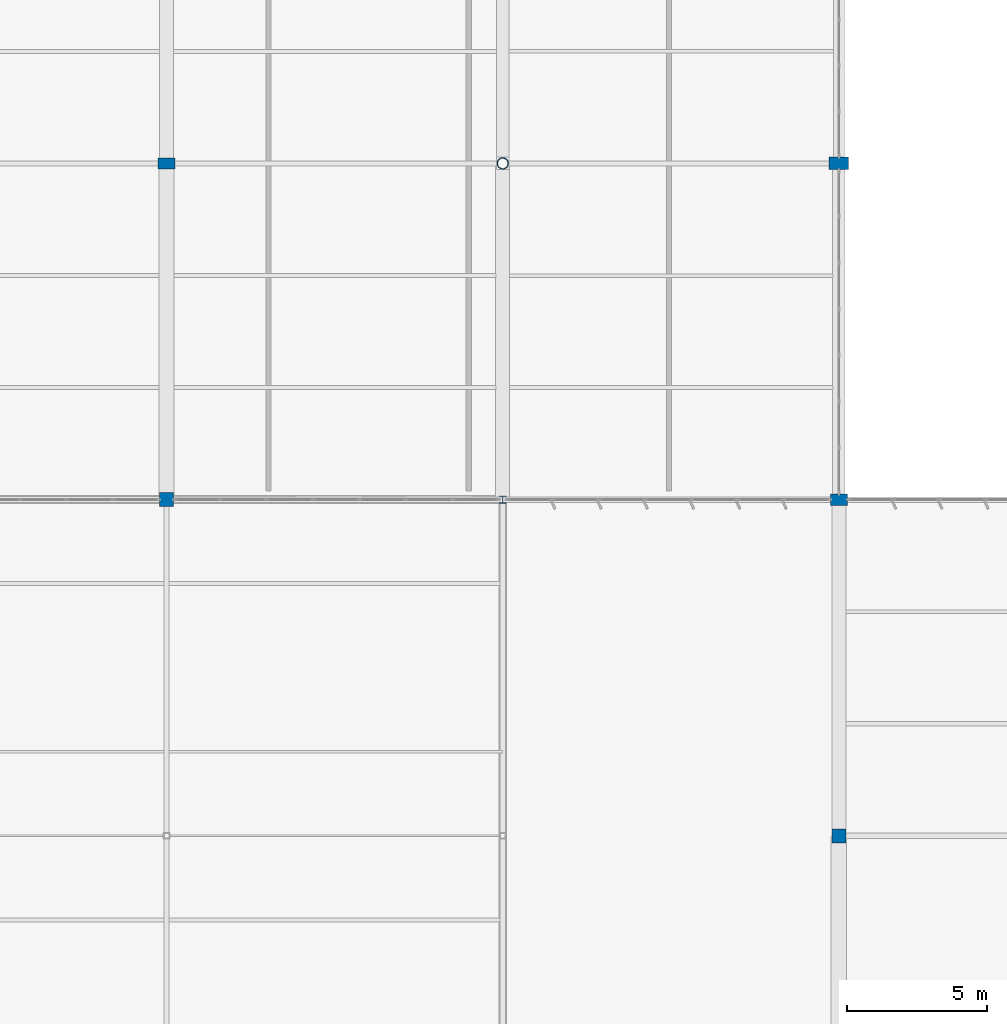
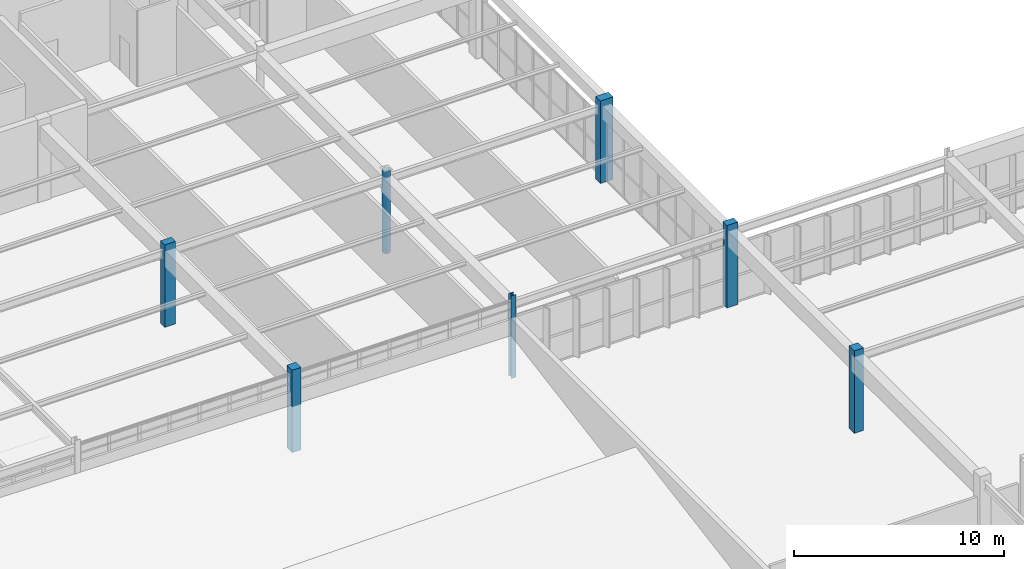
# One storey, part 5 of 226: 7 columns.
"""IFC4 building model written with IfcOpenShell, lengths in metres."""

from ifc_helpers import new_model, si_unit, direction, frame, origin, origin_2d, place, context, subcontext, project, spatial, rectangle, hollow_circle, i_section, extrude, material, material_profile, profile_set, type_object, element, save


model = new_model("IFC4")

# Units and contexts
model_context = context("Model", 3, precision=1e-05, world=origin(), true_north=direction((0.0, 1.0)))
body_context = subcontext(model_context, "Body", "Model", "MODEL_VIEW")
ifc_project = project(units=[si_unit("LENGTHUNIT", "METRE"), si_unit("AREAUNIT", "SQUARE_METRE"), si_unit("VOLUMEUNIT", "CUBIC_METRE"), si_unit("PLANEANGLEUNIT", "RADIAN"), si_unit("MASSUNIT", "GRAM", prefix="KILO")], contexts=[model_context])

# Site, building, storey
site_placement = place(None, origin())
site = spatial("IfcSite", under=ifc_project, at=site_placement, CompositionType="ELEMENT")
building_placement = place(site_placement, origin())
building = spatial("IfcBuilding", under=site, at=building_placement, Name="Tarnwether General Hospital", CompositionType="ELEMENT")
storey_placement = place(building_placement, frame((0.0, 0.0, 4.800048828125)))
storey = spatial("IfcBuildingStorey", under=building, at=storey_placement, Name="L01", CompositionType="ELEMENT", Elevation=4.800048828125)

# Columns
ifc_material_1 = material(Name="Steel Grade 350 (350 MPa)", Category="steel")
ifc_material_profile_1 = material_profile(ifc_material_1, i_section(OverallWidth=0.256103515625, OverallDepth=0.260009765625, WebThickness=0.010498046875, FlangeThickness=0.017333984375, at=origin_2d()), Name="250UC89.5")
ifc_profile_set_1 = profile_set([ifc_material_profile_1], Name="Steel Grade 350 (350 MPa)")
column_type_1 = type_object("IfcColumnType", Name="COL-09", PredefinedType="COLUMN", material=ifc_profile_set_1)
column_1_placement = place(storey_placement, frame((48.0, 45.60009765625, 0.0), z_axis=(0.0, 0.0, 1.0), x_axis=(1.0, 0.0, 0.0)))
element("IfcColumn", 1, at=column_1_placement, inside=storey, type_object=column_type_1, Name="Column COLG-L01-4800_4560", PredefinedType="COLUMN", context=body_context, shape_type="SweptSolid", body=[
    extrude(i_section(OverallWidth=0.256103515625, OverallDepth=0.260009765625, WebThickness=0.010498046875, FlangeThickness=0.017333984375, at=origin_2d()), origin(), (0.0, 0.0, 1.0), 4.800048828125),
])
ifc_material_2 = material(Name="Steel Grade C350L0 (350 MPa)", Category="steel")
ifc_material_profile_2 = material_profile(ifc_material_2, hollow_circle(Radius=0.203125, WallThickness=0.01611328125, at=origin_2d()), Name="CHS406.4x16.0")
ifc_profile_set_2 = profile_set([ifc_material_profile_2], Name="Steel Grade C350L0 (350 MPa)")
column_type_2 = type_object("IfcColumnType", Name="COL-10", PredefinedType="COLUMN", material=ifc_profile_set_2)
column_2_placement = place(storey_placement, frame((48.0, 57.60009765625, 0.0), z_axis=(0.0, 0.0, 1.0), x_axis=(1.0, 0.0, 0.0)))
element("IfcColumn", 2, at=column_2_placement, inside=storey, type_object=column_type_2, Name="Column COLG-L01-4800_5760", PredefinedType="COLUMN", context=body_context, shape_type="SweptSolid", body=[
    extrude(hollow_circle(Radius=0.203125, WallThickness=0.01611328125, at=origin_2d()), origin(), (0.0, 0.0, 1.0), 4.800048828125),
])
ifc_material_3 = material(Name="Concrete 50 MPa", Category="concrete")
ifc_material_profile_3 = material_profile(ifc_material_3, rectangle(XDim=0.5, YDim=0.5, at=origin_2d()), Name="RC-COL-500x500")
ifc_profile_set_3 = profile_set([ifc_material_profile_3], Name="Concrete 50 MPa")
column_type_3 = type_object("IfcColumnType", Name="COL-20", PredefinedType="COLUMN", material=ifc_profile_set_3)
for number, where, z_axis, x_axis, name in (
    (3, (36.0, 45.60009765625, 0.0), (0.0, 0.0, 1.0), (0.0, 1.0, 0.0), "Column COLG-L01-3600_4560"),
    (4, (60.0, 33.60009765625, 0.0), (0.0, 0.0, 1.0), (0.0, 1.0, 0.0), "Column COLG-L01-6000_3360"),
):
    element("IfcColumn", number, at=place(storey_placement, frame(where, z_axis=z_axis, x_axis=x_axis)), inside=storey, type_object=column_type_3, Name=name, PredefinedType="COLUMN", context=body_context, shape_type="SweptSolid", body=[
        extrude(rectangle(XDim=0.5, YDim=0.5, at=origin_2d()), origin(), (0.0, 0.0, 1.0), 4.800048828125),
    ])
ifc_material_4 = material(Name="Concrete 50 MPa", Category="concrete")
ifc_material_profile_4 = material_profile(ifc_material_4, rectangle(XDim=0.39990234375, YDim=0.60009765625, at=origin_2d()), Name="RC-PIL-400x600")
ifc_profile_set_4 = profile_set([ifc_material_profile_4], Name="Concrete 50 MPa")
column_type_4 = type_object("IfcColumnType", Name="COL-21", PredefinedType="PILASTER", material=ifc_profile_set_4)
for number, where, z_axis, x_axis, name in (
    (5, (36.0, 57.60009765625, 0.0), (0.0, 0.0, 1.0), (0.0, 1.0, 0.0), "Column COLG-L01-3600_5760"),
    (6, (60.0, 45.60009765625, 0.0), (0.0, 0.0, 1.0), (0.0, 1.0, 0.0), "Column COLG-L01-6000_4560"),
):
    element("IfcColumn", number, at=place(storey_placement, frame(where, z_axis=z_axis, x_axis=x_axis)), inside=storey, type_object=column_type_4, Name=name, PredefinedType="PILASTER", context=body_context, shape_type="SweptSolid", body=[
        extrude(rectangle(XDim=0.39990234375, YDim=0.60009765625, at=origin_2d()), origin(), (0.0, 0.0, 1.0), 4.800048828125),
    ])
ifc_material_5 = material(Name="Concrete 50 MPa", Category="concrete")
ifc_material_profile_5 = material_profile(ifc_material_5, rectangle(XDim=0.449951171875, YDim=0.699951171875, at=origin_2d()), Name="RC-PIL-450x700")
ifc_profile_set_5 = profile_set([ifc_material_profile_5], Name="Concrete 50 MPa")
column_type_5 = type_object("IfcColumnType", Name="COL-22", PredefinedType="PILASTER", material=ifc_profile_set_5)
column_3_placement = place(storey_placement, frame((60.0, 57.60009765625, 0.0), z_axis=(0.0, 0.0, 1.0), x_axis=(0.0, 1.0, 0.0)))
element("IfcColumn", 7, at=column_3_placement, inside=storey, type_object=column_type_5, Name="Column COLG-L01-6000_5760", PredefinedType="PILASTER", context=body_context, shape_type="SweptSolid", body=[
    extrude(rectangle(XDim=0.449951171875, YDim=0.699951171875, at=origin_2d()), origin(), (0.0, 0.0, 1.0), 4.800048828125),
])

save(model, "model.ifc")
